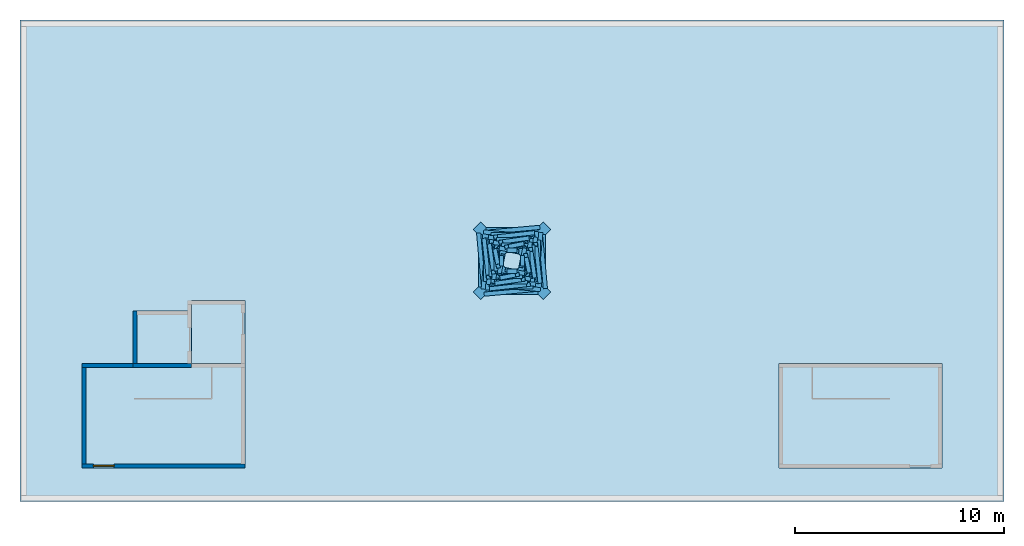
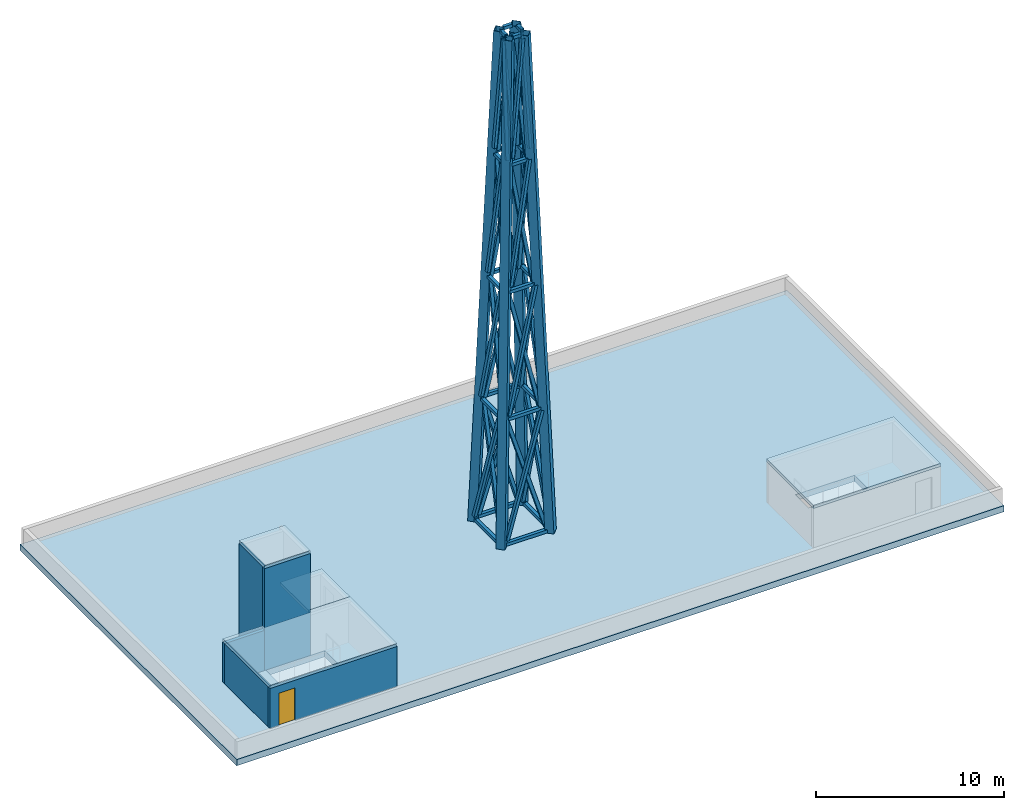
# One storey, part 1 of 3: 56 members, 5 walls, 4 plates, 1 door, 1 slab, 1 opening.
"""IFC4 building model written with IfcOpenShell, lengths in metres."""

from ifc_helpers import new_model, si_unit, direction, frame, frame_2d, origin, origin_2d, place, context, subcontext, project, spatial, polyline, rectangle, hollow_rectangle, outline, extrude, material, layer, layer_set, material_profile, profile_set, type_object, element, fill, save


model = new_model("IFC4")

# Units and contexts
model_context = context("Model", 3, precision=1e-05, world=origin(), true_north=direction((0.0, 1.0)))
body_context = subcontext(model_context, "Body", "Model", "MODEL_VIEW")
ifc_project = project(units=[si_unit("LENGTHUNIT", "METRE"), si_unit("AREAUNIT", "SQUARE_METRE"), si_unit("VOLUMEUNIT", "CUBIC_METRE"), si_unit("PLANEANGLEUNIT", "RADIAN"), si_unit("MASSUNIT", "GRAM", prefix="KILO")], contexts=[model_context])

# Site, building, storey
site_placement = place(None, origin())
site = spatial("IfcSite", under=ifc_project, at=site_placement, CompositionType="ELEMENT")
building_placement = place(site_placement, origin())
building = spatial("IfcBuilding", under=site, at=building_placement, Name="Kitamizu Gate Tower and Museum", CompositionType="ELEMENT")
storey_placement = place(building_placement, frame((0.0, 0.0, 289.35009765625)))
storey = spatial("IfcBuildingStorey", under=building, at=storey_placement, Name="ROOF", CompositionType="ELEMENT", Elevation=289.35009765625)

# Members
ifc_material_1 = material(Name="Steel SM490A bronze coated", Category="steel")
ifc_material_profile_1 = material_profile(ifc_material_1, hollow_rectangle(XDim=0.199951171875, YDim=0.199951171875, WallThickness=0.010009765625, at=origin_2d()), Name="BOX 200x200x10")
ifc_profile_set_1 = profile_set([ifc_material_profile_1], Name="Steel SM490A bronze coated")
member_type_1 = type_object("IfcMemberType", Name="MAST BRACE MTB1 BOX 200x200x10", PredefinedType="BRACE", material=ifc_profile_set_1)
member_1_placement = place(storey_placement, frame((34.765625, 28.4140625, 0.405517578125), z_axis=(0.287485815624, 0.026146352635, 0.957427947189), x_axis=(-0.090574495928, 0.995889682991, 0.0)))
element("IfcMember", 1, at=member_1_placement, inside=storey, type_object=member_type_1, Name="Mast brace 1SWa", PredefinedType="BRACE", context=body_context, shape_type="SweptSolid", body=[
    extrude(hollow_rectangle(XDim=0.199951171875, YDim=0.199951171875, WallThickness=0.010009765625, at=origin_2d()), origin(), (0.0, 0.0, 1.0), 7.87158203125),
])
member_2_placement = place(storey_placement, frame((37.260498046875, 28.6318359375, 0.318359375), z_axis=(-0.287486632893, 0.02612949271, 0.957428162067), x_axis=(-0.090516314342, -0.995894972795, 0.0)))
element("IfcMember", 2, at=member_2_placement, inside=storey, type_object=member_type_1, Name="Mast brace 1SWb", PredefinedType="BRACE", context=body_context, shape_type="SweptSolid", body=[
    extrude(hollow_rectangle(XDim=0.199951171875, YDim=0.199951171875, WallThickness=0.010009765625, at=origin_2d()), origin(), (0.0, 0.0, 1.0), 7.8486328125),
])
member_3_placement = place(storey_placement, frame((37.5859375, 28.765625, 0.405517578125), z_axis=(-0.026146352635, 0.287485815624, 0.957427947189), x_axis=(-0.995889682991, -0.090574495928, 0.0)))
element("IfcMember", 3, at=member_3_placement, inside=storey, type_object=member_type_1, Name="Mast brace 1SEa", PredefinedType="BRACE", context=body_context, shape_type="SweptSolid", body=[
    extrude(hollow_rectangle(XDim=0.199951171875, YDim=0.199951171875, WallThickness=0.010009765625, at=origin_2d()), origin(), (0.0, 0.0, 1.0), 7.87158203125),
])
member_4_placement = place(storey_placement, frame((37.3681640625, 31.260498046875, 0.318359375), z_axis=(-0.02612949271, -0.287486632893, 0.957428162067), x_axis=(0.995894972795, -0.090516314342, 0.0)))
element("IfcMember", 4, at=member_4_placement, inside=storey, type_object=member_type_1, Name="Mast brace 1SEb", PredefinedType="BRACE", context=body_context, shape_type="SweptSolid", body=[
    extrude(hollow_rectangle(XDim=0.199951171875, YDim=0.199951171875, WallThickness=0.010009765625, at=origin_2d()), origin(), (0.0, 0.0, 1.0), 7.8486328125),
])
member_5_placement = place(storey_placement, frame((37.234375, 31.5859375, 0.405517578125), z_axis=(-0.287485815624, -0.026146352635, 0.957427947189), x_axis=(0.090574495928, -0.995889682991, 0.0)))
element("IfcMember", 5, at=member_5_placement, inside=storey, type_object=member_type_1, Name="Mast brace 1NEa", PredefinedType="BRACE", context=body_context, shape_type="SweptSolid", body=[
    extrude(hollow_rectangle(XDim=0.199951171875, YDim=0.199951171875, WallThickness=0.010009765625, at=origin_2d()), origin(), (0.0, 0.0, 1.0), 7.87158203125),
])
member_6_placement = place(storey_placement, frame((34.739501953125, 31.3681640625, 0.318359375), z_axis=(0.287486632893, -0.02612949271, 0.957428162067), x_axis=(0.090516314342, 0.995894972795, 0.0)))
element("IfcMember", 6, at=member_6_placement, inside=storey, type_object=member_type_1, Name="Mast brace 1NEb", PredefinedType="BRACE", context=body_context, shape_type="SweptSolid", body=[
    extrude(hollow_rectangle(XDim=0.199951171875, YDim=0.199951171875, WallThickness=0.010009765625, at=origin_2d()), origin(), (0.0, 0.0, 1.0), 7.8486328125),
])
member_7_placement = place(storey_placement, frame((34.4140625, 31.234375, 0.405517578125), z_axis=(0.026146352635, -0.287485815624, 0.957427947189), x_axis=(0.995889682991, 0.090574495928, 0.0)))
element("IfcMember", 7, at=member_7_placement, inside=storey, type_object=member_type_1, Name="Mast brace 1NWa", PredefinedType="BRACE", context=body_context, shape_type="SweptSolid", body=[
    extrude(hollow_rectangle(XDim=0.199951171875, YDim=0.199951171875, WallThickness=0.010009765625, at=origin_2d()), origin(), (0.0, 0.0, 1.0), 7.87158203125),
])
member_8_placement = place(storey_placement, frame((34.6318359375, 28.739501953125, 0.318359375), z_axis=(0.02612949271, 0.287486632893, 0.957428162067), x_axis=(-0.995894972795, 0.090516314342, 0.0)))
element("IfcMember", 8, at=member_8_placement, inside=storey, type_object=member_type_1, Name="Mast brace 1NWb", PredefinedType="BRACE", context=body_context, shape_type="SweptSolid", body=[
    extrude(hollow_rectangle(XDim=0.199951171875, YDim=0.199951171875, WallThickness=0.010009765625, at=origin_2d()), origin(), (0.0, 0.0, 1.0), 7.8486328125),
])
member_9_placement = place(storey_placement, frame((35.021484375, 28.670166015625, 8.251220703125), z_axis=(0.221916610573, 0.024671073147, 0.974753484785), x_axis=(-0.110492010518, 0.993877012317, 0.0)))
element("IfcMember", 9, at=member_9_placement, inside=storey, type_object=member_type_1, Name="Mast brace 2SWa", PredefinedType="BRACE", context=body_context, shape_type="SweptSolid", body=[
    extrude(hollow_rectangle(XDim=0.199951171875, YDim=0.199951171875, WallThickness=0.010009765625, at=origin_2d()), origin(), (0.0, 0.0, 1.0), 7.9365234375),
])
member_10_placement = place(storey_placement, frame((37.03173828125, 28.88427734375, 8.017333984375), z_axis=(-0.221916815053, 0.024650635891, 0.974753955287), x_axis=(-0.110401495696, -0.993887070923, 0.0)))
element("IfcMember", 10, at=member_10_placement, inside=storey, type_object=member_type_1, Name="Mast brace 2SWb", PredefinedType="BRACE", context=body_context, shape_type="SweptSolid", body=[
    extrude(hollow_rectangle(XDim=0.199951171875, YDim=0.199951171875, WallThickness=0.010009765625, at=origin_2d()), origin(), (0.0, 0.0, 1.0), 7.992431640625),
])
member_11_placement = place(storey_placement, frame((37.329833984375, 29.021484375, 8.251220703125), z_axis=(-0.024671073147, 0.221916610573, 0.974753484785), x_axis=(-0.993877012317, -0.110492010518, 0.0)))
element("IfcMember", 11, at=member_11_placement, inside=storey, type_object=member_type_1, Name="Mast brace 2SEa", PredefinedType="BRACE", context=body_context, shape_type="SweptSolid", body=[
    extrude(hollow_rectangle(XDim=0.199951171875, YDim=0.199951171875, WallThickness=0.010009765625, at=origin_2d()), origin(), (0.0, 0.0, 1.0), 7.9365234375),
])
member_12_placement = place(storey_placement, frame((37.11572265625, 31.03173828125, 8.017333984375), z_axis=(-0.024650635891, -0.221916815053, 0.974753955287), x_axis=(0.993887070923, -0.110401495696, 0.0)))
element("IfcMember", 12, at=member_12_placement, inside=storey, type_object=member_type_1, Name="Mast brace 2SEb", PredefinedType="BRACE", context=body_context, shape_type="SweptSolid", body=[
    extrude(hollow_rectangle(XDim=0.199951171875, YDim=0.199951171875, WallThickness=0.010009765625, at=origin_2d()), origin(), (0.0, 0.0, 1.0), 7.992431640625),
])
member_13_placement = place(storey_placement, frame((36.978515625, 31.329833984375, 8.251220703125), z_axis=(-0.221916610573, -0.024671073147, 0.974753484785), x_axis=(0.110492010518, -0.993877012317, 0.0)))
element("IfcMember", 13, at=member_13_placement, inside=storey, type_object=member_type_1, Name="Mast brace 2NEa", PredefinedType="BRACE", context=body_context, shape_type="SweptSolid", body=[
    extrude(hollow_rectangle(XDim=0.199951171875, YDim=0.199951171875, WallThickness=0.010009765625, at=origin_2d()), origin(), (0.0, 0.0, 1.0), 7.9365234375),
])
member_14_placement = place(storey_placement, frame((34.96826171875, 31.11572265625, 8.017333984375), z_axis=(0.221916815053, -0.024650635891, 0.974753955287), x_axis=(0.110401495696, 0.993887070923, 0.0)))
element("IfcMember", 14, at=member_14_placement, inside=storey, type_object=member_type_1, Name="Mast brace 2NEb", PredefinedType="BRACE", context=body_context, shape_type="SweptSolid", body=[
    extrude(hollow_rectangle(XDim=0.199951171875, YDim=0.199951171875, WallThickness=0.010009765625, at=origin_2d()), origin(), (0.0, 0.0, 1.0), 7.992431640625),
])
member_15_placement = place(storey_placement, frame((34.670166015625, 30.978515625, 8.251220703125), z_axis=(0.024671073147, -0.221916610573, 0.974753484785), x_axis=(0.993877012317, 0.110492010518, 0.0)))
element("IfcMember", 15, at=member_15_placement, inside=storey, type_object=member_type_1, Name="Mast brace 2NWa", PredefinedType="BRACE", context=body_context, shape_type="SweptSolid", body=[
    extrude(hollow_rectangle(XDim=0.199951171875, YDim=0.199951171875, WallThickness=0.010009765625, at=origin_2d()), origin(), (0.0, 0.0, 1.0), 7.9365234375),
])
member_16_placement = place(storey_placement, frame((34.88427734375, 28.96826171875, 8.017333984375), z_axis=(0.024650635891, 0.221916815053, 0.974753955287), x_axis=(-0.993887070923, 0.110401495696, 0.0)))
element("IfcMember", 16, at=member_16_placement, inside=storey, type_object=member_type_1, Name="Mast brace 2NWb", PredefinedType="BRACE", context=body_context, shape_type="SweptSolid", body=[
    extrude(hollow_rectangle(XDim=0.199951171875, YDim=0.199951171875, WallThickness=0.010009765625, at=origin_2d()), origin(), (0.0, 0.0, 1.0), 7.992431640625),
])
member_17_placement = place(storey_placement, frame((35.28173828125, 28.93017578125, 16.360107421875), z_axis=(0.160839066522, 0.022990396768, 0.98671284391), x_axis=(-0.14150210425, 0.98993795487, 0.0)))
element("IfcMember", 17, at=member_17_placement, inside=storey, type_object=member_type_1, Name="Mast brace 3SWa", PredefinedType="BRACE", context=body_context, shape_type="SweptSolid", body=[
    extrude(hollow_rectangle(XDim=0.199951171875, YDim=0.199951171875, WallThickness=0.010009765625, at=origin_2d()), origin(), (0.0, 0.0, 1.0), 7.815673828125),
])
member_18_placement = place(storey_placement, frame((36.794677734375, 29.139404296875, 15.891357421875), z_axis=(-0.160815875783, 0.022956182764, 0.986717420424), x_axis=(-0.141315698835, -0.989964581822, 0.0)))
element("IfcMember", 18, at=member_18_placement, inside=storey, type_object=member_type_1, Name="Mast brace 3SWb", PredefinedType="BRACE", context=body_context, shape_type="SweptSolid", body=[
    extrude(hollow_rectangle(XDim=0.199951171875, YDim=0.199951171875, WallThickness=0.010009765625, at=origin_2d()), origin(), (0.0, 0.0, 1.0), 7.965576171875),
])
member_19_placement = place(storey_placement, frame((37.06982421875, 29.28173828125, 16.360107421875), z_axis=(-0.022990396768, 0.160839066522, 0.98671284391), x_axis=(-0.98993795487, -0.14150210425, 0.0)))
element("IfcMember", 19, at=member_19_placement, inside=storey, type_object=member_type_1, Name="Mast brace 3SEa", PredefinedType="BRACE", context=body_context, shape_type="SweptSolid", body=[
    extrude(hollow_rectangle(XDim=0.199951171875, YDim=0.199951171875, WallThickness=0.010009765625, at=origin_2d()), origin(), (0.0, 0.0, 1.0), 7.815673828125),
])
member_20_placement = place(storey_placement, frame((36.860595703125, 30.794677734375, 15.891357421875), z_axis=(-0.022956182764, -0.160815875783, 0.986717420424), x_axis=(0.989964581822, -0.141315698835, 0.0)))
element("IfcMember", 20, at=member_20_placement, inside=storey, type_object=member_type_1, Name="Mast brace 3SEb", PredefinedType="BRACE", context=body_context, shape_type="SweptSolid", body=[
    extrude(hollow_rectangle(XDim=0.199951171875, YDim=0.199951171875, WallThickness=0.010009765625, at=origin_2d()), origin(), (0.0, 0.0, 1.0), 7.965576171875),
])
member_21_placement = place(storey_placement, frame((36.71826171875, 31.06982421875, 16.360107421875), z_axis=(-0.160839066522, -0.022990396768, 0.98671284391), x_axis=(0.14150210425, -0.98993795487, 0.0)))
element("IfcMember", 21, at=member_21_placement, inside=storey, type_object=member_type_1, Name="Mast brace 3NEa", PredefinedType="BRACE", context=body_context, shape_type="SweptSolid", body=[
    extrude(hollow_rectangle(XDim=0.199951171875, YDim=0.199951171875, WallThickness=0.010009765625, at=origin_2d()), origin(), (0.0, 0.0, 1.0), 7.815673828125),
])
member_22_placement = place(storey_placement, frame((35.205322265625, 30.860595703125, 15.891357421875), z_axis=(0.160815875783, -0.022956182764, 0.986717420424), x_axis=(0.141315698835, 0.989964581822, 0.0)))
element("IfcMember", 22, at=member_22_placement, inside=storey, type_object=member_type_1, Name="Mast brace 3NEb", PredefinedType="BRACE", context=body_context, shape_type="SweptSolid", body=[
    extrude(hollow_rectangle(XDim=0.199951171875, YDim=0.199951171875, WallThickness=0.010009765625, at=origin_2d()), origin(), (0.0, 0.0, 1.0), 7.965576171875),
])
member_23_placement = place(storey_placement, frame((34.93017578125, 30.71826171875, 16.360107421875), z_axis=(0.022990396768, -0.160839066522, 0.98671284391), x_axis=(0.98993795487, 0.14150210425, 0.0)))
element("IfcMember", 23, at=member_23_placement, inside=storey, type_object=member_type_1, Name="Mast brace 3NWa", PredefinedType="BRACE", context=body_context, shape_type="SweptSolid", body=[
    extrude(hollow_rectangle(XDim=0.199951171875, YDim=0.199951171875, WallThickness=0.010009765625, at=origin_2d()), origin(), (0.0, 0.0, 1.0), 7.815673828125),
])
member_24_placement = place(storey_placement, frame((35.139404296875, 29.205322265625, 15.891357421875), z_axis=(0.022956182764, 0.160815875783, 0.986717420424), x_axis=(-0.989964581822, 0.141315698835, 0.0)))
element("IfcMember", 24, at=member_24_placement, inside=storey, type_object=member_type_1, Name="Mast brace 3NWb", PredefinedType="BRACE", context=body_context, shape_type="SweptSolid", body=[
    extrude(hollow_rectangle(XDim=0.199951171875, YDim=0.199951171875, WallThickness=0.010009765625, at=origin_2d()), origin(), (0.0, 0.0, 1.0), 7.965576171875),
])
member_25_placement = place(storey_placement, frame((35.524658203125, 29.19482421875, 24.448486328125), z_axis=(0.098165095826, 0.019659275293, 0.994975942853), x_axis=(-0.196368303179, 0.98053020836, 0.0)))
element("IfcMember", 25, at=member_25_placement, inside=storey, type_object=member_type_1, Name="Mast brace 4SWa", PredefinedType="BRACE", context=body_context, shape_type="SweptSolid", body=[
    extrude(hollow_rectangle(XDim=0.199951171875, YDim=0.199951171875, WallThickness=0.010009765625, at=origin_2d()), origin(), (0.0, 0.0, 1.0), 7.438720703125),
])
member_26_placement = place(storey_placement, frame((36.5048828125, 29.408935546875, 24.14990234375), z_axis=(-0.098172920013, 0.019641109288, 0.99497552965), x_axis=(-0.196178803663, -0.980568139903, 0.0)))
element("IfcMember", 26, at=member_26_placement, inside=storey, type_object=member_type_1, Name="Mast brace 4SWb", PredefinedType="BRACE", context=body_context, shape_type="SweptSolid", body=[
    extrude(hollow_rectangle(XDim=0.199951171875, YDim=0.199951171875, WallThickness=0.010009765625, at=origin_2d()), origin(), (0.0, 0.0, 1.0), 7.48291015625),
])
member_27_placement = place(storey_placement, frame((36.80517578125, 29.524658203125, 24.448486328125), z_axis=(-0.019659275293, 0.098165095826, 0.994975942853), x_axis=(-0.98053020836, -0.196368303179, 0.0)))
element("IfcMember", 27, at=member_27_placement, inside=storey, type_object=member_type_1, Name="Mast brace 4SEa", PredefinedType="BRACE", context=body_context, shape_type="SweptSolid", body=[
    extrude(hollow_rectangle(XDim=0.199951171875, YDim=0.199951171875, WallThickness=0.010009765625, at=origin_2d()), origin(), (0.0, 0.0, 1.0), 7.438720703125),
])
member_28_placement = place(storey_placement, frame((36.591064453125, 30.5048828125, 24.14990234375), z_axis=(-0.019641109288, -0.098172920013, 0.99497552965), x_axis=(0.980568139903, -0.196178803663, 0.0)))
element("IfcMember", 28, at=member_28_placement, inside=storey, type_object=member_type_1, Name="Mast brace 4SEb", PredefinedType="BRACE", context=body_context, shape_type="SweptSolid", body=[
    extrude(hollow_rectangle(XDim=0.199951171875, YDim=0.199951171875, WallThickness=0.010009765625, at=origin_2d()), origin(), (0.0, 0.0, 1.0), 7.48291015625),
])
member_29_placement = place(storey_placement, frame((36.475341796875, 30.80517578125, 24.448486328125), z_axis=(-0.098165095826, -0.019659275293, 0.994975942853), x_axis=(0.196368303179, -0.98053020836, 0.0)))
element("IfcMember", 29, at=member_29_placement, inside=storey, type_object=member_type_1, Name="Mast brace 4NEa", PredefinedType="BRACE", context=body_context, shape_type="SweptSolid", body=[
    extrude(hollow_rectangle(XDim=0.199951171875, YDim=0.199951171875, WallThickness=0.010009765625, at=origin_2d()), origin(), (0.0, 0.0, 1.0), 7.438720703125),
])
member_30_placement = place(storey_placement, frame((35.4951171875, 30.591064453125, 24.14990234375), z_axis=(0.098172920013, -0.019641109288, 0.99497552965), x_axis=(0.196178803663, 0.980568139903, 0.0)))
element("IfcMember", 30, at=member_30_placement, inside=storey, type_object=member_type_1, Name="Mast brace 4NEb", PredefinedType="BRACE", context=body_context, shape_type="SweptSolid", body=[
    extrude(hollow_rectangle(XDim=0.199951171875, YDim=0.199951171875, WallThickness=0.010009765625, at=origin_2d()), origin(), (0.0, 0.0, 1.0), 7.48291015625),
])
member_31_placement = place(storey_placement, frame((35.19482421875, 30.475341796875, 24.448486328125), z_axis=(0.019659275293, -0.098165095826, 0.994975942853), x_axis=(0.98053020836, 0.196368303179, 0.0)))
element("IfcMember", 31, at=member_31_placement, inside=storey, type_object=member_type_1, Name="Mast brace 4NWa", PredefinedType="BRACE", context=body_context, shape_type="SweptSolid", body=[
    extrude(hollow_rectangle(XDim=0.199951171875, YDim=0.199951171875, WallThickness=0.010009765625, at=origin_2d()), origin(), (0.0, 0.0, 1.0), 7.438720703125),
])
member_32_placement = place(storey_placement, frame((35.408935546875, 29.4951171875, 24.14990234375), z_axis=(0.019641109288, 0.098172920013, 0.99497552965), x_axis=(-0.980568139903, 0.196178803663, 0.0)))
element("IfcMember", 32, at=member_32_placement, inside=storey, type_object=member_type_1, Name="Mast brace 4NWb", PredefinedType="BRACE", context=body_context, shape_type="SweptSolid", body=[
    extrude(hollow_rectangle(XDim=0.199951171875, YDim=0.199951171875, WallThickness=0.010009765625, at=origin_2d()), origin(), (0.0, 0.0, 1.0), 7.48291015625),
])
ifc_material_2 = material(Name="Steel SM490A bronze coated", Category="steel")
ifc_material_profile_2 = material_profile(ifc_material_2, hollow_rectangle(XDim=0.5, YDim=0.5, WallThickness=0.02197265625, at=origin_2d()), Name="STKR-500x500x22")
ifc_profile_set_2 = profile_set([ifc_material_profile_2], Name="Steel SM490A bronze coated")
member_type_2 = type_object("IfcMemberType", Name="MAST LEG MTL1 STKR 500x500x22", PredefinedType="NOTDEFINED", material=ifc_profile_set_2)
for number, where, z_axis, x_axis, name in (
    (33, (34.5, 28.5, 0.0), (0.031219527053, 0.031219527053, 0.999024865687), (-0.707106781187, 0.707106781187, 0.0), "Mast leg SW"),
    (34, (37.5, 28.5, 0.0), (-0.031219527053, 0.031219527053, 0.999024865687), (-0.707106781187, -0.707106781187, 0.0), "Mast leg SE"),
    (35, (37.5, 31.5, 0.0), (-0.031219527053, -0.031219527053, 0.999024865687), (0.707106781187, -0.707106781187, 0.0), "Mast leg NE"),
    (36, (34.5, 31.5, 0.0), (0.031219527053, -0.031219527053, 0.999024865687), (0.707106781187, 0.707106781187, 0.0), "Mast leg NW"),
):
    element("IfcMember", number, at=place(storey_placement, frame(where, z_axis=z_axis, x_axis=x_axis)), inside=storey, type_object=member_type_2, Name=name, PredefinedType="NOTDEFINED", context=body_context, shape_type="SweptSolid", body=[
        extrude(hollow_rectangle(XDim=0.5, YDim=0.5, WallThickness=0.02197265625, at=origin_2d()), origin(), (0.0, 0.0, 1.0), 32.03125),
    ])
ifc_material_3 = material(Name="Steel SM490A bronze coated", Category="steel")
ifc_material_profile_3 = material_profile(ifc_material_3, hollow_rectangle(XDim=0.199951171875, YDim=0.199951171875, WallThickness=0.010009765625, at=origin_2d()), Name="BOX 200x200x10")
ifc_profile_set_3 = profile_set([ifc_material_profile_3], Name="Steel SM490A bronze coated")
member_type_3 = type_object("IfcMemberType", Name="MAST RING MTR1 BOX 200x200x10", PredefinedType="NOTDEFINED", material=ifc_profile_set_3)
for number, where, z_axis, x_axis, name in (
    (37, (34.75, 28.5, 0.119873046875), (1.0, 0.0, 0.0), (0.0, 1.0, 0.0), "Mast ring 1SW"),
    (38, (37.5, 28.75, 0.119873046875), (0.0, 1.0, 0.0), (-1.0, 0.0, 0.0), "Mast ring 1SE"),
    (39, (37.25, 31.5, 0.119873046875), (-1.0, 0.0, 0.0), (0.0, -1.0, 0.0), "Mast ring 1NE"),
    (40, (34.5, 31.25, 0.119873046875), (0.0, -1.0, 0.0), (1.0, 0.0, 0.0), "Mast ring 1NW"),
):
    element("IfcMember", number, at=place(storey_placement, frame(where, z_axis=z_axis, x_axis=x_axis)), inside=storey, type_object=member_type_3, Name=name, PredefinedType="NOTDEFINED", context=body_context, shape_type="SweptSolid", body=[
        extrude(hollow_rectangle(XDim=0.199951171875, YDim=0.199951171875, WallThickness=0.010009765625, at=origin_2d()), origin(), (0.0, 0.0, 1.0), 2.5),
    ])
for number, where, z_axis, x_axis, name in (
    (41, (35.0, 28.75, 8.0), (1.0, 0.0, 0.0), (0.0, 1.0, 0.0), "Mast ring 2SW"),
    (42, (37.25, 29.0, 8.0), (0.0, 1.0, 0.0), (-1.0, 0.0, 0.0), "Mast ring 2SE"),
    (43, (37.0, 31.25, 8.0), (-1.0, 0.0, 0.0), (0.0, -1.0, 0.0), "Mast ring 2NE"),
    (44, (34.75, 31.0, 8.0), (0.0, -1.0, 0.0), (1.0, 0.0, 0.0), "Mast ring 2NW"),
):
    element("IfcMember", number, at=place(storey_placement, frame(where, z_axis=z_axis, x_axis=x_axis)), inside=storey, type_object=member_type_3, Name=name, PredefinedType="NOTDEFINED", context=body_context, shape_type="SweptSolid", body=[
        extrude(hollow_rectangle(XDim=0.199951171875, YDim=0.199951171875, WallThickness=0.010009765625, at=origin_2d()), origin(), (0.0, 0.0, 1.0), 2.0),
    ])
for number, where, z_axis, x_axis, name in (
    (45, (35.25, 29.0, 16.0), (1.0, 0.0, 0.0), (0.0, 1.0, 0.0), "Mast ring 3SW"),
    (46, (37.0, 29.25, 16.0), (0.0, 1.0, 0.0), (-1.0, 0.0, 0.0), "Mast ring 3SE"),
    (47, (36.75, 31.0, 16.0), (-1.0, 0.0, 0.0), (0.0, -1.0, 0.0), "Mast ring 3NE"),
    (48, (35.0, 30.75, 16.0), (0.0, -1.0, 0.0), (1.0, 0.0, 0.0), "Mast ring 3NW"),
):
    element("IfcMember", number, at=place(storey_placement, frame(where, z_axis=z_axis, x_axis=x_axis)), inside=storey, type_object=member_type_3, Name=name, PredefinedType="NOTDEFINED", context=body_context, shape_type="SweptSolid", body=[
        extrude(hollow_rectangle(XDim=0.199951171875, YDim=0.199951171875, WallThickness=0.010009765625, at=origin_2d()), origin(), (0.0, 0.0, 1.0), 1.5),
    ])
for number, where, z_axis, x_axis, name in (
    (49, (35.5, 29.25, 24.0), (1.0, 0.0, 0.0), (0.0, 1.0, 0.0), "Mast ring 4SW"),
    (50, (36.75, 29.5, 24.0), (0.0, 1.0, 0.0), (-1.0, 0.0, 0.0), "Mast ring 4SE"),
    (51, (36.5, 30.75, 24.0), (-1.0, 0.0, 0.0), (0.0, -1.0, 0.0), "Mast ring 4NE"),
    (52, (35.25, 30.5, 24.0), (0.0, -1.0, 0.0), (1.0, 0.0, 0.0), "Mast ring 4NW"),
):
    element("IfcMember", number, at=place(storey_placement, frame(where, z_axis=z_axis, x_axis=x_axis)), inside=storey, type_object=member_type_3, Name=name, PredefinedType="NOTDEFINED", context=body_context, shape_type="SweptSolid", body=[
        extrude(hollow_rectangle(XDim=0.199951171875, YDim=0.199951171875, WallThickness=0.010009765625, at=origin_2d()), origin(), (0.0, 0.0, 1.0), 1.0),
    ])
for number, where, z_axis, x_axis, name in (
    (53, (35.75, 29.5, 32.0), (1.0, 0.0, 0.0), (0.0, 1.0, 0.0), "Mast ring 5SW"),
    (54, (36.5, 29.75, 32.0), (0.0, 1.0, 0.0), (-1.0, 0.0, 0.0), "Mast ring 5SE"),
    (55, (36.25, 30.5, 32.0), (-1.0, 0.0, 0.0), (0.0, -1.0, 0.0), "Mast ring 5NE"),
    (56, (35.5, 30.25, 32.0), (0.0, -1.0, 0.0), (1.0, 0.0, 0.0), "Mast ring 5NW"),
):
    element("IfcMember", number, at=place(storey_placement, frame(where, z_axis=z_axis, x_axis=x_axis)), inside=storey, type_object=member_type_3, Name=name, PredefinedType="NOTDEFINED", context=body_context, shape_type="SweptSolid", body=[
        extrude(hollow_rectangle(XDim=0.199951171875, YDim=0.199951171875, WallThickness=0.010009765625, at=origin_2d()), origin(), (0.0, 0.0, 1.0), 0.5),
    ])

# Plates
ifc_material_4 = material(Name="Insulated aluminium roof panel", Category="aluminium")
ifc_layer_1 = layer(ifc_material_4, 0.199951171875)
ifc_layer_set_1 = layer_set([ifc_layer_1], Name="Insulated aluminium roof panel")
plate_type_1 = type_object("IfcPlateType", Name="Head-house roof panel 200", PredefinedType="SHEET", material=ifc_layer_set_1)
plate_1_placement = place(storey_placement, frame((0.0, 0.0, 2.599853515625)))
element("IfcPlate", 57, at=plate_1_placement, inside=storey, type_object=plate_type_1, Name="Roof stair head-house roof W", PredefinedType="SHEET", context=body_context, shape_type="SweptSolid", body=[
    extrude(outline(polyline([(23.25, 25.10009765625), (23.25, 20.10009765625), (15.449951171875, 20.10009765625), (15.449951171875, 25.10009765625), (17.89990234375, 25.10009765625), (17.89990234375, 24.89990234375), (20.699951171875, 24.89990234375), (20.699951171875, 25.10009765625), (23.25, 25.10009765625)])), origin(), (0.0, 0.0, 1.0), 0.199951171875),
])
plate_2_placement = place(storey_placement, frame((52.64990234375, 22.60009765625, 2.60009765625), z_axis=(0.0, 0.0, 1.0), x_axis=(1.0, 0.0, 0.0)))
element("IfcPlate", 58, at=plate_2_placement, inside=storey, type_object=plate_type_1, Name="Roof stair head-house roof E", PredefinedType="SHEET", context=body_context, shape_type="SweptSolid", body=[
    extrude(rectangle(XDim=7.800048828125, YDim=5.0, at=origin_2d()), origin(), (0.0, 0.0, 1.0), 0.199951171875),
])
ifc_material_5 = material(Name="Insulated aluminium roof panel", Category="aluminium")
ifc_layer_2 = layer(ifc_material_5, 0.199951171875)
ifc_layer_set_2 = layer_set([ifc_layer_2], Name="Insulated aluminium roof panel")
plate_type_2 = type_object("IfcPlateType", Name="Lift bulkhead roof panel 200", PredefinedType="SHEET", material=ifc_layer_set_2)
plate_3_placement = place(storey_placement, frame((19.300048828125, 26.25, 6.60009765625), z_axis=(0.0, 0.0, 1.0), x_axis=(1.0, 0.0, 0.0)))
element("IfcPlate", 59, at=plate_3_placement, inside=storey, type_object=plate_type_2, Name="Lift bulkhead roof WSV1", PredefinedType="SHEET", context=body_context, shape_type="SweptSolid", body=[
    extrude(rectangle(XDim=2.800048828125, YDim=2.699951171875, at=origin_2d()), origin(), (0.0, 0.0, 1.0), 0.199951171875),
])
ifc_material_6 = material(Name="Insulated aluminium roof panel", Category="aluminium")
ifc_layer_3 = layer(ifc_material_6, 0.199951171875)
ifc_layer_set_3 = layer_set([ifc_layer_3], Name="Insulated aluminium roof panel")
plate_type_3 = type_object("IfcPlateType", Name="Roof lobby roof panel 200", PredefinedType="SHEET", material=ifc_layer_set_3)
plate_4_placement = place(storey_placement, frame((21.97509765625, 26.60009765625, 2.60009765625), z_axis=(0.0, 0.0, 1.0), x_axis=(1.0, 0.0, 0.0)))
element("IfcPlate", 60, at=plate_4_placement, inside=storey, type_object=plate_type_3, Name="Roof lobby roof WSV1", PredefinedType="SHEET", context=body_context, shape_type="SweptSolid", body=[
    extrude(rectangle(XDim=2.550048828125, YDim=3.0, at=origin_2d()), origin(), (0.0, 0.0, 1.0), 0.199951171875),
])

# Slab
ifc_material_7 = material(Name="Concrete Fc36", Category="concrete")
ifc_layer_4 = layer(ifc_material_7, 0.39990234375)
ifc_layer_set_4 = layer_set([ifc_layer_4], Name="Concrete Fc36")
slab_type = type_object("IfcSlabType", Name="Roof slab 400", PredefinedType="ROOF", material=ifc_layer_set_4)
slab_placement = place(storey_placement, frame((0.0, 0.0, -0.400146484375)))
element("IfcSlab", 61, at=slab_placement, inside=storey, type_object=slab_type, Name="Roof slab L76-1", PredefinedType="ROOF", context=body_context, shape_type="SweptSolid", body=[
    extrude(outline(polyline([(12.5, 18.5), (12.5, 41.5), (59.5, 41.5), (59.5, 18.5), (12.5, 18.5)]), holes=[polyline([(50.4169921875, 23.5), (54.031494140625, 23.5), (54.031494140625, 24.89990234375), (50.4169921875, 24.89990234375), (50.4169921875, 23.5)]), polyline([(17.968505859375, 23.5), (21.5830078125, 23.5), (21.5830078125, 24.89990234375), (17.968505859375, 24.89990234375), (17.968505859375, 23.5)]), polyline([(18.10009765625, 27.39990234375), (18.10009765625, 25.10009765625), (20.5, 25.10009765625), (20.5, 27.39990234375), (18.10009765625, 27.39990234375)])]), origin(), (0.0, 0.0, 1.0), 0.400146484375),
])

# Wall, opening, door
ifc_material_8 = material(Name="Concrete Fc42", Category="concrete")
ifc_layer_5 = layer(ifc_material_8, 0.199951171875)
ifc_layer_set_5 = layer_set([ifc_layer_5], Name="Concrete Fc42")
wall_type = type_object("IfcWallType", Name="Shaft wall 200 EI 60", PredefinedType="SOLIDWALL", material=ifc_layer_set_5)
wall_1_placement = place(storey_placement, frame((15.449951171875, 20.199951171875, 0.0), z_axis=(0.0, 0.0, 1.0), x_axis=(1.0, 0.0, 0.0)))
wall_1 = element("IfcWall", 62, at=wall_1_placement, inside=storey, type_object=wall_type, Name="Roof stair head-house wall W-S", PredefinedType="SOLIDWALL", context=body_context, shape_type="SweptSolid", body=[
    extrude(rectangle(XDim=7.800048828125, YDim=0.199951171875, at=frame_2d((3.89990234375, 0.0))), origin(), (0.0, 0.0, 1.0), 2.599853515625),
])
opening_placement = place(wall_1_placement, frame((0.550048828125, 0.0, 0.0)))
opening = element("IfcOpeningElement", 63, at=opening_placement, cuts=wall_1, Name="Opening ROOF-001", PredefinedType="OPENING", context=body_context, shape_type="SweptSolid", body=[
    extrude(rectangle(XDim=1.0, YDim=2.10009765625, at=frame_2d((0.5, 1.050048828125))), frame((0.0, 0.10986328125, 0.0), z_axis=(0.0, -1.0, 0.0), x_axis=(1.0, 0.0, 0.0)), (0.0, 0.0, 1.0), 0.219970703125),
])
ifc_material_9 = material(Name="Hollow metal door set")
door_type = type_object("IfcDoorType", Name="Roof head-house fire door 1000", OperationType="NOTDEFINED", PredefinedType="DOOR", material=ifc_material_9)
door_placement = place(opening_placement, frame((1.0, 0.0, 0.0), x_axis=(-1.0, 0.0, 0.0)))
door = element("IfcDoor", 64, at=door_placement, inside=storey, type_object=door_type, Name="Roof stair door ROOF-001", OperationType="SINGLE_SWING_LEFT", OverallHeight=2.10009765625, OverallWidth=1.0, PredefinedType="DOOR", context=body_context, shape_type="SweptSolid", body=[
    extrude(rectangle(XDim=1.0, YDim=2.10009765625, at=frame_2d((0.5, 1.050048828125))), frame((0.0, 0.02490234375, 0.0), z_axis=(0.0, -1.0, 0.0), x_axis=(1.0, 0.0, 0.0)), (0.0, 0.0, 1.0), 0.050048828125),
])
fill(opening, door)

# Walls
wall_2_placement = place(storey_placement, frame((15.449951171875, 25.0, 0.0), z_axis=(0.0, 0.0, 1.0), x_axis=(1.0, 0.0, 0.0)))
element("IfcWall", 65, at=wall_2_placement, inside=storey, type_object=wall_type, Name="Roof stair head-house wall W-N", PredefinedType="SOLIDWALL", context=body_context, shape_type="SweptSolid", body=[
    extrude(rectangle(XDim=2.449951171875, YDim=0.199951171875, at=frame_2d((1.22509765625, 0.0))), origin(), (0.0, 0.0, 1.0), 2.599853515625),
])
wall_3_placement = place(storey_placement, frame((17.89990234375, 25.0, 0.0), z_axis=(0.0, 0.0, 1.0), x_axis=(1.0, 0.0, 0.0)))
element("IfcWall", 66, at=wall_3_placement, inside=storey, type_object=wall_type, Name="Lift bulkhead wall W-NB", PredefinedType="SOLIDWALL", context=body_context, shape_type="SweptSolid", body=[
    extrude(rectangle(XDim=2.800048828125, YDim=0.199951171875, at=frame_2d((1.39990234375, 0.0))), origin(), (0.0, 0.0, 1.0), 6.599853515625),
])
wall_4_placement = place(storey_placement, frame((15.550048828125, 20.300048828125, 0.0), z_axis=(0.0, 0.0, 1.0), x_axis=(0.0, 1.0, 0.0)))
element("IfcWall", 67, at=wall_4_placement, inside=storey, type_object=wall_type, Name="Roof stair head-house wall W-W", PredefinedType="SOLIDWALL", context=body_context, shape_type="SweptSolid", body=[
    extrude(rectangle(XDim=4.599853515625, YDim=0.199951171875, at=frame_2d((2.2998046875, 0.0))), origin(), (0.0, 0.0, 1.0), 2.599853515625),
])
wall_5_placement = place(storey_placement, frame((18.0, 25.10009765625, 0.0), z_axis=(0.0, 0.0, 1.0), x_axis=(0.0, 1.0, 0.0)))
element("IfcWall", 68, at=wall_5_placement, inside=storey, type_object=wall_type, Name="Lift bulkhead wall WSV1-W", PredefinedType="SOLIDWALL", context=body_context, shape_type="SweptSolid", body=[
    extrude(rectangle(XDim=2.5, YDim=0.199951171875, at=frame_2d((1.25, 0.0))), origin(), (0.0, 0.0, 1.0), 6.599853515625),
])

save(model, "model.ifc")
